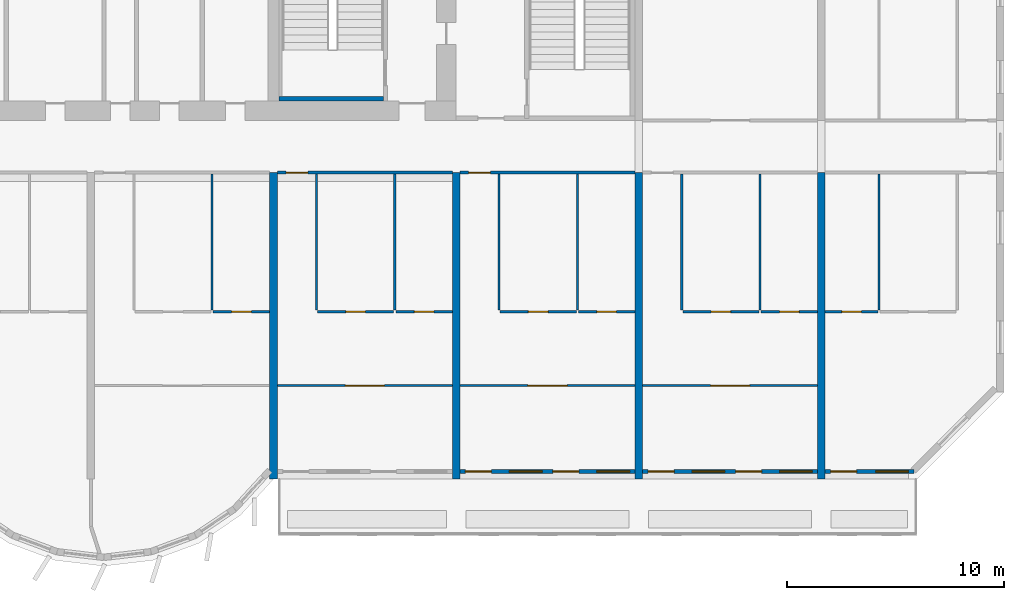
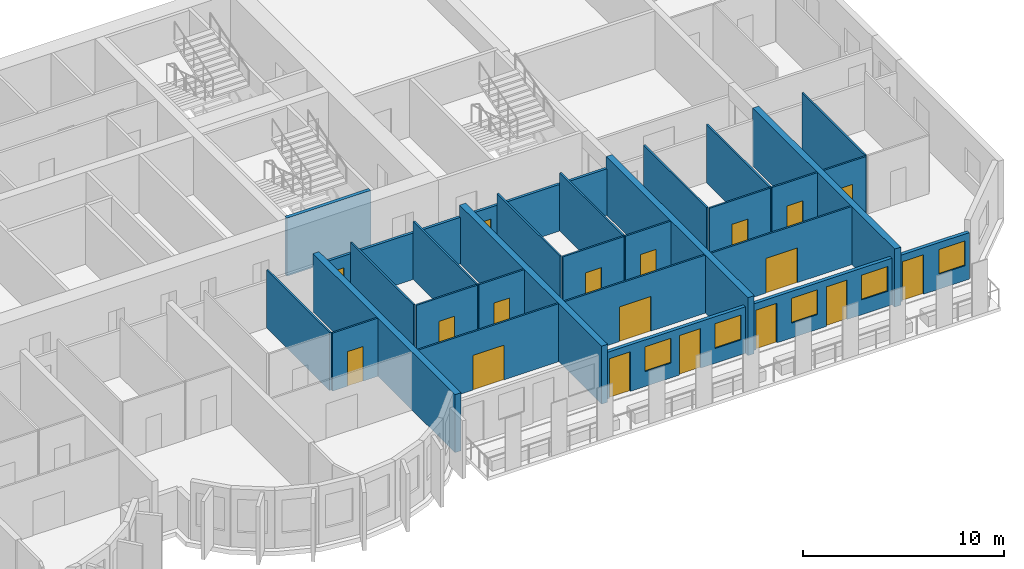
# One storey, part 9 of 15: 29 walls, 18 doors, 5 windows, 23 openings.
"""IFC4 building model written with IfcOpenShell, lengths in metres."""

from ifc_helpers import new_model, si_unit, direction, frame, frame_2d, origin, place, context, subcontext, project, spatial, rectangle, extrude, source, transform, mapped, material, layer, layer_set, type_object, element, fill, save


model = new_model("IFC4")

# Units and contexts
model_context = context("Model", 3, precision=1e-05, world=origin(), true_north=direction((0.0, 1.0)))
body_context = subcontext(model_context, "Body", "Model", "MODEL_VIEW")
ifc_project = project(units=[si_unit("LENGTHUNIT", "METRE"), si_unit("AREAUNIT", "SQUARE_METRE"), si_unit("VOLUMEUNIT", "CUBIC_METRE"), si_unit("PLANEANGLEUNIT", "RADIAN"), si_unit("MASSUNIT", "GRAM", prefix="KILO")], contexts=[model_context])

# Site, building, storey
site_placement = place(None, origin())
site = spatial("IfcSite", under=ifc_project, at=site_placement, CompositionType="ELEMENT")
building_placement = place(site_placement, origin())
building = spatial("IfcBuilding", under=site, at=building_placement, Name="Vanashikhar Sky Hotel", CompositionType="ELEMENT")
storey_placement = place(building_placement, frame((0.0, 0.0, 137.0)))
storey = spatial("IfcBuildingStorey", under=building, at=storey_placement, Name="L33", CompositionType="ELEMENT", Elevation=137.0)

# Walls
ifc_material_1 = material(Name="Concrete M70", Category="concrete")
ifc_layer_1 = layer(ifc_material_1, 0.35009765625)
ifc_layer_set_1 = layer_set([ifc_layer_1], Name="RC shear wall 350 Concrete M70")
wall_type_1 = type_object("IfcWallType", Name="RC shear wall 350 Concrete M70", PredefinedType="SHEAR", material=ifc_layer_set_1)
shared_shape_1 = source(origin(), body_context, "Body", "SweptSolid", [
    extrude(rectangle(XDim=14.10009765625, YDim=0.35009765625, at=frame_2d((7.050048828125, 0.0))), origin(), (0.0, 0.0, 1.0), 3.52001953125),
])
for number, where, z_axis, x_axis, name in (
    (1, (67.199951171875, 5.5, 0.0), (0.0, 0.0, 1.0), (0.0, 1.0, 0.0), "CW-L33-XW09-1"),
    (2, (75.60009765625, 5.5, 0.0), (0.0, 0.0, 1.0), (0.0, 1.0, 0.0), "CW-L33-XW10-1"),
    (3, (84.0, 5.5, 0.0), (0.0, 0.0, 1.0), (0.0, 1.0, 0.0), "CW-L33-XW11-1"),
    (4, (92.39990234375, 5.5, 0.0), (0.0, 0.0, 1.0), (0.0, 1.0, 0.0), "CW-L33-XW12-1"),
):
    element("IfcWall", number, at=place(storey_placement, frame(where, z_axis=z_axis, x_axis=x_axis)), inside=storey, type_object=wall_type_1, Name=name, PredefinedType="SHEAR", context=body_context, shape_type="MappedRepresentation", body=[
        mapped(shared_shape_1, transform((0.0, 0.0, 0.0), scale=1.0)),
    ])

# Wall, openings, window, door
ifc_material_2 = material(Name="Concrete M50", Category="concrete")
ifc_layer_2 = layer(ifc_material_2, 0.199951171875)
ifc_layer_set_2 = layer_set([ifc_layer_2], Name="Front window wall 200")
wall_type_2 = type_object("IfcWallType", Name="Front window wall 200", PredefinedType="SOLIDWALL", material=ifc_layer_set_2)
shared_shape_2 = source(origin(), body_context, "Body", "SweptSolid", [
    extrude(rectangle(XDim=4.080078125, YDim=0.199951171875, at=frame_2d((2.0400390625, 0.0))), origin(), (0.0, 0.0, 1.0), 2.820068359375),
])
wall_1_placement = place(storey_placement, frame((92.574951171875, 5.85009765625, 0.0), z_axis=(0.0, 0.0, 1.0), x_axis=(1.0, 0.0, 0.0)))
wall_1 = element("IfcWall", 5, at=wall_1_placement, inside=storey, type_object=wall_type_2, Name="Front window wall", PredefinedType="SOLIDWALL", context=body_context, shape_type="MappedRepresentation", body=[
    mapped(shared_shape_2, transform((0.0, 0.0, 0.0), scale=1.0)),
])
shared_shape_3 = source(origin(), body_context, "Body", "SweptSolid", [
    extrude(rectangle(XDim=1.199951171875, YDim=2.39990234375, at=frame_2d((0.60009765625, 1.199951171875))), frame((0.0, 0.10986328125, 0.0), z_axis=(0.0, -1.0, 0.0), x_axis=(1.0, 0.0, 0.0)), (0.0, 0.0, 1.0), 0.219970703125),
])
opening_1_placement = place(wall_1_placement, frame((0.25, 0.0, 0.0)))
opening_1 = element("IfcOpeningElement", 6, at=opening_1_placement, cuts=wall_1, Name="Opening BD-14", PredefinedType="OPENING", context=body_context, shape_type="MappedRepresentation", body=[
    mapped(shared_shape_3, transform((0.0, 0.0, 0.0), scale=1.0)),
])
shared_shape_4 = source(origin(), body_context, "Body", "SweptSolid", [
    extrude(rectangle(XDim=1.5, YDim=1.5, at=frame_2d((0.75, 0.75))), frame((0.0, 0.10986328125, 0.0), z_axis=(0.0, -1.0, 0.0), x_axis=(1.0, 0.0, 0.0)), (0.0, 0.0, 1.0), 0.219970703125),
])
opening_2_placement = place(wall_1_placement, frame((2.330078125, 0.0, 0.89990234375)))
opening_2 = element("IfcOpeningElement", 7, at=opening_2_placement, cuts=wall_1, Name="Opening WN-1", PredefinedType="OPENING", context=body_context, shape_type="MappedRepresentation", body=[
    mapped(shared_shape_4, transform((0.0, 0.0, 0.0), scale=1.0)),
])
ifc_material_3 = material(Name="Glass", Category="glass")
window_type = type_object("IfcWindowType", Name="Window 1500 x 1500", PartitioningType="SINGLE_PANEL", PredefinedType="WINDOW", material=ifc_material_3)
shared_shape_5 = source(origin(), body_context, "Body", "SweptSolid", [
    extrude(rectangle(XDim=1.5, YDim=1.5, at=frame_2d((0.75, 0.75))), frame((0.0, 0.030029296875, 0.0), z_axis=(0.0, -1.0, 0.0), x_axis=(1.0, 0.0, 0.0)), (0.0, 0.0, 1.0), 0.06005859375),
])
window_1_placement = place(opening_2_placement, origin())
window_1 = element("IfcWindow", 8, at=window_1_placement, inside=storey, type_object=window_type, Name="Window WN-1", OverallHeight=1.5, OverallWidth=1.5, PartitioningType="SINGLE_PANEL", PredefinedType="WINDOW", context=body_context, shape_type="MappedRepresentation", body=[
    mapped(shared_shape_5, transform((0.0, 0.0, 0.0), scale=1.0)),
])
fill(opening_2, window_1)
ifc_material_4 = material(Name="Aluminium", Category="aluminium")
door_type_1 = type_object("IfcDoorType", Name="Balcony sliding door 1200 x 2400", OperationType="NOTDEFINED", PredefinedType="DOOR", material=ifc_material_4)
shared_shape_6 = source(origin(), body_context, "Body", "SweptSolid", [
    extrude(rectangle(XDim=1.199951171875, YDim=2.39990234375, at=frame_2d((0.60009765625, 1.199951171875))), frame((0.0, 0.02490234375, 0.0), z_axis=(0.0, -1.0, 0.0), x_axis=(1.0, 0.0, 0.0)), (0.0, 0.0, 1.0), 0.050048828125),
])
door_1_placement = place(opening_1_placement, origin())
door_1 = element("IfcDoor", 9, at=door_1_placement, inside=storey, type_object=door_type_1, Name="Balcony sliding door", OperationType="SLIDING_TO_RIGHT", OverallHeight=2.39990234375, OverallWidth=1.199951171875, PredefinedType="DOOR", context=body_context, shape_type="MappedRepresentation", body=[
    mapped(shared_shape_6, transform((0.0, 0.0, 0.0), scale=1.0)),
])
fill(opening_1, door_1)

# Wall, openings, windows, doors
shared_shape_7 = source(origin(), body_context, "Body", "SweptSolid", [
    extrude(rectangle(XDim=8.050048828125, YDim=0.199951171875, at=frame_2d((4.02490234375, 0.0))), origin(), (0.0, 0.0, 1.0), 2.820068359375),
])
wall_2_placement = place(storey_placement, frame((75.77490234375, 5.85009765625, 0.0), z_axis=(0.0, 0.0, 1.0), x_axis=(1.0, 0.0, 0.0)))
wall_2 = element("IfcWall", 10, at=wall_2_placement, inside=storey, type_object=wall_type_2, Name="Front window wall", PredefinedType="SOLIDWALL", context=body_context, shape_type="MappedRepresentation", body=[
    mapped(shared_shape_7, transform((0.0, 0.0, 0.0), scale=1.0)),
])
opening_3_placement = place(wall_2_placement, frame((0.25, 0.0, 0.0)))
opening_3 = element("IfcOpeningElement", 11, at=opening_3_placement, cuts=wall_2, Name="Opening BD-10", PredefinedType="OPENING", context=body_context, shape_type="MappedRepresentation", body=[
    mapped(shared_shape_3, transform((0.0, 0.0, 0.0), scale=1.0)),
])
opening_4_placement = place(wall_2_placement, frame((2.27490234375, 0.0, 0.89990234375)))
opening_4 = element("IfcOpeningElement", 12, at=opening_4_placement, cuts=wall_2, Name="Opening WN-1", PredefinedType="OPENING", context=body_context, shape_type="MappedRepresentation", body=[
    mapped(shared_shape_4, transform((0.0, 0.0, 0.0), scale=1.0)),
])
opening_5_placement = place(wall_2_placement, frame((4.27490234375, 0.0, 0.0)))
opening_5 = element("IfcOpeningElement", 13, at=opening_5_placement, cuts=wall_2, Name="Opening BD-11", PredefinedType="OPENING", context=body_context, shape_type="MappedRepresentation", body=[
    mapped(shared_shape_3, transform((0.0, 0.0, 0.0), scale=1.0)),
])
opening_6_placement = place(wall_2_placement, frame((6.300048828125, 0.0, 0.89990234375)))
opening_6 = element("IfcOpeningElement", 14, at=opening_6_placement, cuts=wall_2, Name="Opening WN-1", PredefinedType="OPENING", context=body_context, shape_type="MappedRepresentation", body=[
    mapped(shared_shape_4, transform((0.0, 0.0, 0.0), scale=1.0)),
])
window_2_placement = place(opening_4_placement, origin())
window_2 = element("IfcWindow", 15, at=window_2_placement, inside=storey, type_object=window_type, Name="Window WN-1", OverallHeight=1.5, OverallWidth=1.5, PartitioningType="SINGLE_PANEL", PredefinedType="WINDOW", context=body_context, shape_type="MappedRepresentation", body=[
    mapped(shared_shape_5, transform((0.0, 0.0, 0.0), scale=1.0)),
])
fill(opening_4, window_2)
window_3_placement = place(opening_6_placement, origin())
window_3 = element("IfcWindow", 16, at=window_3_placement, inside=storey, type_object=window_type, Name="Window WN-1", OverallHeight=1.5, OverallWidth=1.5, PartitioningType="SINGLE_PANEL", PredefinedType="WINDOW", context=body_context, shape_type="MappedRepresentation", body=[
    mapped(shared_shape_5, transform((0.0, 0.0, 0.0), scale=1.0)),
])
fill(opening_6, window_3)
door_2_placement = place(opening_3_placement, origin())
door_2 = element("IfcDoor", 17, at=door_2_placement, inside=storey, type_object=door_type_1, Name="Balcony sliding door", OperationType="SLIDING_TO_RIGHT", OverallHeight=2.39990234375, OverallWidth=1.199951171875, PredefinedType="DOOR", context=body_context, shape_type="MappedRepresentation", body=[
    mapped(shared_shape_6, transform((0.0, 0.0, 0.0), scale=1.0)),
])
fill(opening_3, door_2)
door_3_placement = place(opening_5_placement, origin())
door_3 = element("IfcDoor", 18, at=door_3_placement, inside=storey, type_object=door_type_1, Name="Balcony sliding door", OperationType="SLIDING_TO_LEFT", OverallHeight=2.39990234375, OverallWidth=1.199951171875, PredefinedType="DOOR", context=body_context, shape_type="MappedRepresentation", body=[
    mapped(shared_shape_6, transform((0.0, 0.0, 0.0), scale=1.0)),
])
fill(opening_5, door_3)

wall_3_placement = place(storey_placement, frame((84.175048828125, 5.85009765625, 0.0), z_axis=(0.0, 0.0, 1.0), x_axis=(1.0, 0.0, 0.0)))
wall_3 = element("IfcWall", 19, at=wall_3_placement, inside=storey, type_object=wall_type_2, Name="Front window wall", PredefinedType="SOLIDWALL", context=body_context, shape_type="MappedRepresentation", body=[
    mapped(shared_shape_7, transform((0.0, 0.0, 0.0), scale=1.0)),
])
opening_7_placement = place(wall_3_placement, frame((0.25, 0.0, 0.0)))
opening_7 = element("IfcOpeningElement", 20, at=opening_7_placement, cuts=wall_3, Name="Opening BD-12", PredefinedType="OPENING", context=body_context, shape_type="MappedRepresentation", body=[
    mapped(shared_shape_3, transform((0.0, 0.0, 0.0), scale=1.0)),
])
opening_8_placement = place(wall_3_placement, frame((2.27490234375, 0.0, 0.89990234375)))
opening_8 = element("IfcOpeningElement", 21, at=opening_8_placement, cuts=wall_3, Name="Opening WN-1", PredefinedType="OPENING", context=body_context, shape_type="MappedRepresentation", body=[
    mapped(shared_shape_4, transform((0.0, 0.0, 0.0), scale=1.0)),
])
opening_9_placement = place(wall_3_placement, frame((4.27490234375, 0.0, 0.0)))
opening_9 = element("IfcOpeningElement", 22, at=opening_9_placement, cuts=wall_3, Name="Opening BD-13", PredefinedType="OPENING", context=body_context, shape_type="MappedRepresentation", body=[
    mapped(shared_shape_3, transform((0.0, 0.0, 0.0), scale=1.0)),
])
opening_10_placement = place(wall_3_placement, frame((6.300048828125, 0.0, 0.89990234375)))
opening_10 = element("IfcOpeningElement", 23, at=opening_10_placement, cuts=wall_3, Name="Opening WN-1", PredefinedType="OPENING", context=body_context, shape_type="MappedRepresentation", body=[
    mapped(shared_shape_4, transform((0.0, 0.0, 0.0), scale=1.0)),
])
window_4_placement = place(opening_8_placement, origin())
window_4 = element("IfcWindow", 24, at=window_4_placement, inside=storey, type_object=window_type, Name="Window WN-1", OverallHeight=1.5, OverallWidth=1.5, PartitioningType="SINGLE_PANEL", PredefinedType="WINDOW", context=body_context, shape_type="MappedRepresentation", body=[
    mapped(shared_shape_5, transform((0.0, 0.0, 0.0), scale=1.0)),
])
fill(opening_8, window_4)
window_5_placement = place(opening_10_placement, origin())
window_5 = element("IfcWindow", 25, at=window_5_placement, inside=storey, type_object=window_type, Name="Window WN-1", OverallHeight=1.5, OverallWidth=1.5, PartitioningType="SINGLE_PANEL", PredefinedType="WINDOW", context=body_context, shape_type="MappedRepresentation", body=[
    mapped(shared_shape_5, transform((0.0, 0.0, 0.0), scale=1.0)),
])
fill(opening_10, window_5)
door_4_placement = place(opening_7_placement, origin())
door_4 = element("IfcDoor", 26, at=door_4_placement, inside=storey, type_object=door_type_1, Name="Balcony sliding door", OperationType="SLIDING_TO_RIGHT", OverallHeight=2.39990234375, OverallWidth=1.199951171875, PredefinedType="DOOR", context=body_context, shape_type="MappedRepresentation", body=[
    mapped(shared_shape_6, transform((0.0, 0.0, 0.0), scale=1.0)),
])
fill(opening_7, door_4)
door_5_placement = place(opening_9_placement, origin())
door_5 = element("IfcDoor", 27, at=door_5_placement, inside=storey, type_object=door_type_1, Name="Balcony sliding door", OperationType="SLIDING_TO_LEFT", OverallHeight=2.39990234375, OverallWidth=1.199951171875, PredefinedType="DOOR", context=body_context, shape_type="MappedRepresentation", body=[
    mapped(shared_shape_6, transform((0.0, 0.0, 0.0), scale=1.0)),
])
fill(opening_9, door_5)

# Wall
ifc_layer_3 = layer(ifc_material_2, 0.199951171875)
ifc_layer_set_3 = layer_set([ifc_layer_3], Name="Stair infill wall 200")
wall_type_3 = type_object("IfcWallType", Name="Stair infill wall 200", PredefinedType="SOLIDWALL", material=ifc_layer_set_3)
shared_shape_8 = source(origin(), body_context, "Body", "SweptSolid", [
    extrude(rectangle(XDim=4.800048828125, YDim=0.199951171875, at=frame_2d((2.39990234375, 0.0))), origin(), (0.0, 0.0, 1.0), 3.52001953125),
])
wall_4_placement = place(storey_placement, frame((67.449951171875, 23.0, 0.0), z_axis=(0.0, 0.0, 1.0), x_axis=(1.0, 0.0, 0.0)))
element("IfcWall", 28, at=wall_4_placement, inside=storey, type_object=wall_type_3, Name="Stair infill wall 200", PredefinedType="SOLIDWALL", context=body_context, shape_type="MappedRepresentation", body=[
    mapped(shared_shape_8, transform((0.0, 0.0, 0.0), scale=1.0)),
])

# Wall, opening, door
ifc_material_5 = material(Name="Gypsum plasterboard partition")
ifc_layer_4 = layer(ifc_material_5, 0.10009765625)
ifc_layer_set_4 = layer_set([ifc_layer_4], Name="Wet room partition 100")
wall_type_4 = type_object("IfcWallType", Name="Wet room partition 100", PredefinedType="PARTITIONING", material=ifc_layer_set_4)
shared_shape_9 = source(origin(), body_context, "Body", "SweptSolid", [
    extrude(rectangle(XDim=3.5, YDim=0.10009765625, at=frame_2d((1.75, 0.0))), origin(), (0.0, 0.0, 1.0), 3.52001953125),
])
wall_5_placement = place(storey_placement, frame((69.22509765625, 13.199951171875, 0.0), z_axis=(0.0, 0.0, 1.0), x_axis=(1.0, 0.0, 0.0)))
wall_5 = element("IfcWall", 29, at=wall_5_placement, inside=storey, type_object=wall_type_4, Name="W-L33-PW049", PredefinedType="PARTITIONING", context=body_context, shape_type="MappedRepresentation", body=[
    mapped(shared_shape_9, transform((0.0, 0.0, 0.0), scale=1.0)),
])
shared_shape_10 = source(origin(), body_context, "Body", "SweptSolid", [
    extrude(rectangle(XDim=0.89990234375, YDim=2.10009765625, at=frame_2d((0.449951171875, 1.050048828125))), frame((0.0, 0.06005859375, 0.0), z_axis=(0.0, -1.0, 0.0), x_axis=(1.0, 0.0, 0.0)), (0.0, 0.0, 1.0), 0.1201171875),
])
opening_11_placement = place(wall_5_placement, frame((1.300048828125, 0.0, 0.0)))
opening_11 = element("IfcOpeningElement", 30, at=opening_11_placement, cuts=wall_5, Name="Opening D-02", PredefinedType="OPENING", context=body_context, shape_type="MappedRepresentation", body=[
    mapped(shared_shape_10, transform((0.0, 0.0, 0.0), scale=1.0)),
])
ifc_material_6 = material(Name="Timber door", Category="wood")
door_type_2 = type_object("IfcDoorType", Name="Internal door 900", OperationType="NOTDEFINED", PredefinedType="DOOR", material=ifc_material_6)
shared_shape_11 = source(origin(), body_context, "Body", "SweptSolid", [
    extrude(rectangle(XDim=0.89990234375, YDim=2.10009765625, at=frame_2d((0.449951171875, 1.050048828125))), frame((0.0, 0.02490234375, 0.0), z_axis=(0.0, -1.0, 0.0), x_axis=(1.0, 0.0, 0.0)), (0.0, 0.0, 1.0), 0.050048828125),
])
door_6_placement = place(opening_11_placement, origin())
door_6 = element("IfcDoor", 31, at=door_6_placement, inside=storey, type_object=door_type_2, Name="D-L33-030", OperationType="SINGLE_SWING_LEFT", OverallHeight=2.10009765625, OverallWidth=0.89990234375, PredefinedType="DOOR", context=body_context, shape_type="MappedRepresentation", body=[
    mapped(shared_shape_11, transform((0.0, 0.0, 0.0), scale=1.0)),
])
fill(opening_11, door_6)

wall_6_placement = place(storey_placement, frame((77.625, 13.199951171875, 0.0), z_axis=(0.0, 0.0, 1.0), x_axis=(1.0, 0.0, 0.0)))
wall_6 = element("IfcWall", 32, at=wall_6_placement, inside=storey, type_object=wall_type_4, Name="W-L33-PW055", PredefinedType="PARTITIONING", context=body_context, shape_type="MappedRepresentation", body=[
    mapped(shared_shape_9, transform((0.0, 0.0, 0.0), scale=1.0)),
])
opening_12_placement = place(wall_6_placement, frame((1.300048828125, 0.0, 0.0)))
opening_12 = element("IfcOpeningElement", 33, at=opening_12_placement, cuts=wall_6, Name="Opening D-02", PredefinedType="OPENING", context=body_context, shape_type="MappedRepresentation", body=[
    mapped(shared_shape_10, transform((0.0, 0.0, 0.0), scale=1.0)),
])
door_7_placement = place(opening_12_placement, origin())
door_7 = element("IfcDoor", 34, at=door_7_placement, inside=storey, type_object=door_type_2, Name="D-L33-034", OperationType="SINGLE_SWING_LEFT", OverallHeight=2.10009765625, OverallWidth=0.89990234375, PredefinedType="DOOR", context=body_context, shape_type="MappedRepresentation", body=[
    mapped(shared_shape_11, transform((0.0, 0.0, 0.0), scale=1.0)),
])
fill(opening_12, door_7)

wall_7_placement = place(storey_placement, frame((86.02490234375, 13.199951171875, 0.0), z_axis=(0.0, 0.0, 1.0), x_axis=(1.0, 0.0, 0.0)))
wall_7 = element("IfcWall", 35, at=wall_7_placement, inside=storey, type_object=wall_type_4, Name="W-L33-PW061", PredefinedType="PARTITIONING", context=body_context, shape_type="MappedRepresentation", body=[
    mapped(shared_shape_9, transform((0.0, 0.0, 0.0), scale=1.0)),
])
opening_13_placement = place(wall_7_placement, frame((1.300048828125, 0.0, 0.0)))
opening_13 = element("IfcOpeningElement", 36, at=opening_13_placement, cuts=wall_7, Name="Opening D-02", PredefinedType="OPENING", context=body_context, shape_type="MappedRepresentation", body=[
    mapped(shared_shape_10, transform((0.0, 0.0, 0.0), scale=1.0)),
])
door_8_placement = place(opening_13_placement, origin())
door_8 = element("IfcDoor", 37, at=door_8_placement, inside=storey, type_object=door_type_2, Name="D-L33-038", OperationType="SINGLE_SWING_LEFT", OverallHeight=2.10009765625, OverallWidth=0.89990234375, PredefinedType="DOOR", context=body_context, shape_type="MappedRepresentation", body=[
    mapped(shared_shape_11, transform((0.0, 0.0, 0.0), scale=1.0)),
])
fill(opening_13, door_8)

# Walls
shared_shape_12 = source(origin(), body_context, "Body", "SweptSolid", [
    extrude(rectangle(XDim=6.25, YDim=0.10009765625, at=frame_2d((3.125, 0.0))), origin(), (0.0, 0.0, 1.0), 3.52001953125),
])
for number, where, z_axis, x_axis, name in (
    (38, (64.375, 13.27490234375, 0.0), (0.0, 0.0, 1.0), (0.0, 1.0, 0.0), "W-L33-PW042"),
    (39, (69.175048828125, 13.27490234375, 0.0), (0.0, 0.0, 1.0), (0.0, 1.0, 0.0), "W-L33-PW047"),
    (40, (72.77490234375, 13.27490234375, 0.0), (0.0, 0.0, 1.0), (0.0, 1.0, 0.0), "W-L33-PW048"),
    (41, (77.574951171875, 13.27490234375, 0.0), (0.0, 0.0, 1.0), (0.0, 1.0, 0.0), "W-L33-PW053"),
    (42, (81.175048828125, 13.27490234375, 0.0), (0.0, 0.0, 1.0), (0.0, 1.0, 0.0), "W-L33-PW054"),
    (43, (85.97509765625, 13.27490234375, 0.0), (0.0, 0.0, 1.0), (0.0, 1.0, 0.0), "W-L33-PW059"),
    (44, (89.574951171875, 13.27490234375, 0.0), (0.0, 0.0, 1.0), (0.0, 1.0, 0.0), "W-L33-PW060"),
    (45, (95.050048828125, 13.27490234375, 0.0), (0.0, 0.0, 1.0), (0.0, 1.0, 0.0), "W-L33-PW066"),
):
    element("IfcWall", number, at=place(storey_placement, frame(where, z_axis=z_axis, x_axis=x_axis)), inside=storey, type_object=wall_type_4, Name=name, PredefinedType="PARTITIONING", context=body_context, shape_type="MappedRepresentation", body=[
        mapped(shared_shape_12, transform((0.0, 0.0, 0.0), scale=1.0)),
    ])

# Wall, opening, door
shared_shape_13 = source(origin(), body_context, "Body", "SweptSolid", [
    extrude(rectangle(XDim=2.60009765625, YDim=0.10009765625, at=frame_2d((1.300048828125, 0.0))), origin(), (0.0, 0.0, 1.0), 3.52001953125),
])
wall_8_placement = place(storey_placement, frame((72.824951171875, 13.199951171875, 0.0), z_axis=(0.0, 0.0, 1.0), x_axis=(1.0, 0.0, 0.0)))
wall_8 = element("IfcWall", 46, at=wall_8_placement, inside=storey, type_object=wall_type_4, Name="W-L33-PW050", PredefinedType="PARTITIONING", context=body_context, shape_type="MappedRepresentation", body=[
    mapped(shared_shape_13, transform((0.0, 0.0, 0.0), scale=1.0)),
])
opening_14_placement = place(wall_8_placement, frame((0.85009765625, 0.0, 0.0)))
opening_14 = element("IfcOpeningElement", 47, at=opening_14_placement, cuts=wall_8, Name="Opening D-02", PredefinedType="OPENING", context=body_context, shape_type="MappedRepresentation", body=[
    mapped(shared_shape_10, transform((0.0, 0.0, 0.0), scale=1.0)),
])
door_9_placement = place(opening_14_placement, origin())
door_9 = element("IfcDoor", 48, at=door_9_placement, inside=storey, type_object=door_type_2, Name="D-L33-031", OperationType="SINGLE_SWING_LEFT", OverallHeight=2.10009765625, OverallWidth=0.89990234375, PredefinedType="DOOR", context=body_context, shape_type="MappedRepresentation", body=[
    mapped(shared_shape_11, transform((0.0, 0.0, 0.0), scale=1.0)),
])
fill(opening_14, door_9)

wall_9_placement = place(storey_placement, frame((89.625, 13.199951171875, 0.0), z_axis=(0.0, 0.0, 1.0), x_axis=(1.0, 0.0, 0.0)))
wall_9 = element("IfcWall", 49, at=wall_9_placement, inside=storey, type_object=wall_type_4, Name="W-L33-PW062", PredefinedType="PARTITIONING", context=body_context, shape_type="MappedRepresentation", body=[
    mapped(shared_shape_13, transform((0.0, 0.0, 0.0), scale=1.0)),
])
opening_15_placement = place(wall_9_placement, frame((0.85009765625, 0.0, 0.0)))
opening_15 = element("IfcOpeningElement", 50, at=opening_15_placement, cuts=wall_9, Name="Opening D-02", PredefinedType="OPENING", context=body_context, shape_type="MappedRepresentation", body=[
    mapped(shared_shape_10, transform((0.0, 0.0, 0.0), scale=1.0)),
])
door_10_placement = place(opening_15_placement, origin())
door_10 = element("IfcDoor", 51, at=door_10_placement, inside=storey, type_object=door_type_2, Name="D-L33-039", OperationType="SINGLE_SWING_LEFT", OverallHeight=2.10009765625, OverallWidth=0.89990234375, PredefinedType="DOOR", context=body_context, shape_type="MappedRepresentation", body=[
    mapped(shared_shape_11, transform((0.0, 0.0, 0.0), scale=1.0)),
])
fill(opening_15, door_10)

ifc_layer_5 = layer(ifc_material_5, 0.14990234375)
ifc_layer_set_5 = layer_set([ifc_layer_5], Name="Corridor and demising partition 150")
wall_type_5 = type_object("IfcWallType", Name="Corridor and demising partition 150", PredefinedType="PARTITIONING", material=ifc_layer_set_5)
shared_shape_14 = source(origin(), body_context, "Body", "SweptSolid", [
    extrude(rectangle(XDim=8.050048828125, YDim=0.14990234375, at=frame_2d((4.02490234375, 0.0))), origin(), (0.0, 0.0, 1.0), 2.820068359375),
])
wall_10_placement = place(storey_placement, frame((67.375, 19.60009765625, 0.0), z_axis=(0.0, 0.0, 1.0), x_axis=(1.0, 0.0, 0.0)))
wall_10 = element("IfcWall", 52, at=wall_10_placement, inside=storey, type_object=wall_type_5, Name="W-L33-PW052", PredefinedType="PARTITIONING", context=body_context, shape_type="MappedRepresentation", body=[
    mapped(shared_shape_14, transform((0.0, 0.0, 0.0), scale=1.0)),
])
shared_shape_15 = source(origin(), body_context, "Body", "SweptSolid", [
    extrude(rectangle(XDim=1.0, YDim=2.10009765625, at=frame_2d((0.5, 1.050048828125))), frame((0.0, 0.0849609375, 0.0), z_axis=(0.0, -1.0, 0.0), x_axis=(1.0, 0.0, 0.0)), (0.0, 0.0, 1.0), 0.169921875),
])
opening_16_placement = place(wall_10_placement, frame((0.39990234375, 0.0, 0.0)))
opening_16 = element("IfcOpeningElement", 53, at=opening_16_placement, cuts=wall_10, Name="Opening D-01", PredefinedType="OPENING", context=body_context, shape_type="MappedRepresentation", body=[
    mapped(shared_shape_15, transform((0.0, 0.0, 0.0), scale=1.0)),
])
ifc_material_7 = material(Name="Timber fire door", Category="wood")
door_type_3 = type_object("IfcDoorType", Name="Guest entry door 1000 FD30S", OperationType="NOTDEFINED", PredefinedType="DOOR", material=ifc_material_7)
shared_shape_16 = source(origin(), body_context, "Body", "SweptSolid", [
    extrude(rectangle(XDim=1.0, YDim=2.10009765625, at=frame_2d((0.5, 1.050048828125))), frame((0.0, 0.02490234375, 0.0), z_axis=(0.0, -1.0, 0.0), x_axis=(1.0, 0.0, 0.0)), (0.0, 0.0, 1.0), 0.050048828125),
])
door_11_placement = place(opening_16_placement, origin())
door_11 = element("IfcDoor", 54, at=door_11_placement, inside=storey, type_object=door_type_3, Name="D-L33-033", OperationType="SINGLE_SWING_LEFT", OverallHeight=2.10009765625, OverallWidth=1.0, PredefinedType="DOOR", context=body_context, shape_type="MappedRepresentation", body=[
    mapped(shared_shape_16, transform((0.0, 0.0, 0.0), scale=1.0)),
])
fill(opening_16, door_11)

wall_11_placement = place(storey_placement, frame((75.77490234375, 19.60009765625, 0.0), z_axis=(0.0, 0.0, 1.0), x_axis=(1.0, 0.0, 0.0)))
wall_11 = element("IfcWall", 55, at=wall_11_placement, inside=storey, type_object=wall_type_5, Name="W-L33-PW058", PredefinedType="PARTITIONING", context=body_context, shape_type="MappedRepresentation", body=[
    mapped(shared_shape_14, transform((0.0, 0.0, 0.0), scale=1.0)),
])
opening_17_placement = place(wall_11_placement, frame((0.39990234375, 0.0, 0.0)))
opening_17 = element("IfcOpeningElement", 56, at=opening_17_placement, cuts=wall_11, Name="Opening D-01", PredefinedType="OPENING", context=body_context, shape_type="MappedRepresentation", body=[
    mapped(shared_shape_15, transform((0.0, 0.0, 0.0), scale=1.0)),
])
door_12_placement = place(opening_17_placement, origin())
door_12 = element("IfcDoor", 57, at=door_12_placement, inside=storey, type_object=door_type_3, Name="D-L33-037", OperationType="SINGLE_SWING_LEFT", OverallHeight=2.10009765625, OverallWidth=1.0, PredefinedType="DOOR", context=body_context, shape_type="MappedRepresentation", body=[
    mapped(shared_shape_16, transform((0.0, 0.0, 0.0), scale=1.0)),
])
fill(opening_17, door_12)

shared_shape_17 = source(origin(), body_context, "Body", "SweptSolid", [
    extrude(rectangle(XDim=2.599853515625, YDim=0.10009765625, at=frame_2d((1.2998046875, 0.0))), origin(), (0.0, 0.0, 1.0), 3.52001953125),
])
wall_12_placement = place(storey_placement, frame((64.425048828125, 13.199951171875, 0.0), z_axis=(0.0, 0.0, 1.0), x_axis=(1.0, 0.0, 0.0)))
wall_12 = element("IfcWall", 58, at=wall_12_placement, inside=storey, type_object=wall_type_4, Name="W-L33-PW044", PredefinedType="PARTITIONING", context=body_context, shape_type="MappedRepresentation", body=[
    mapped(shared_shape_17, transform((0.0, 0.0, 0.0), scale=1.0)),
])
opening_18_placement = place(wall_12_placement, frame((0.85009765625, 0.0, 0.0)))
opening_18 = element("IfcOpeningElement", 59, at=opening_18_placement, cuts=wall_12, Name="Opening D-02", PredefinedType="OPENING", context=body_context, shape_type="MappedRepresentation", body=[
    mapped(shared_shape_10, transform((0.0, 0.0, 0.0), scale=1.0)),
])
door_13_placement = place(opening_18_placement, origin())
door_13 = element("IfcDoor", 60, at=door_13_placement, inside=storey, type_object=door_type_2, Name="D-L33-027", OperationType="SINGLE_SWING_LEFT", OverallHeight=2.10009765625, OverallWidth=0.89990234375, PredefinedType="DOOR", context=body_context, shape_type="MappedRepresentation", body=[
    mapped(shared_shape_11, transform((0.0, 0.0, 0.0), scale=1.0)),
])
fill(opening_18, door_13)

wall_13_placement = place(storey_placement, frame((81.22509765625, 13.199951171875, 0.0), z_axis=(0.0, 0.0, 1.0), x_axis=(1.0, 0.0, 0.0)))
wall_13 = element("IfcWall", 61, at=wall_13_placement, inside=storey, type_object=wall_type_4, Name="W-L33-PW056", PredefinedType="PARTITIONING", context=body_context, shape_type="MappedRepresentation", body=[
    mapped(shared_shape_17, transform((0.0, 0.0, 0.0), scale=1.0)),
])
opening_19_placement = place(wall_13_placement, frame((0.85009765625, 0.0, 0.0)))
opening_19 = element("IfcOpeningElement", 62, at=opening_19_placement, cuts=wall_13, Name="Opening D-02", PredefinedType="OPENING", context=body_context, shape_type="MappedRepresentation", body=[
    mapped(shared_shape_10, transform((0.0, 0.0, 0.0), scale=1.0)),
])
door_14_placement = place(opening_19_placement, origin())
door_14 = element("IfcDoor", 63, at=door_14_placement, inside=storey, type_object=door_type_2, Name="D-L33-035", OperationType="SINGLE_SWING_LEFT", OverallHeight=2.10009765625, OverallWidth=0.89990234375, PredefinedType="DOOR", context=body_context, shape_type="MappedRepresentation", body=[
    mapped(shared_shape_11, transform((0.0, 0.0, 0.0), scale=1.0)),
])
fill(opening_19, door_14)

shared_shape_18 = source(origin(), body_context, "Body", "SweptSolid", [
    extrude(rectangle(XDim=8.050048828125, YDim=0.10009765625, at=frame_2d((4.02490234375, 0.0))), origin(), (0.0, 0.0, 1.0), 3.52001953125),
])
wall_14_placement = place(storey_placement, frame((67.375, 9.802001953125, 0.0), z_axis=(0.0, 0.0, 1.0), x_axis=(1.0, 0.0, 0.0)))
wall_14 = element("IfcWall", 64, at=wall_14_placement, inside=storey, type_object=wall_type_4, Name="W-L33-PW051", PredefinedType="PARTITIONING", context=body_context, shape_type="MappedRepresentation", body=[
    mapped(shared_shape_18, transform((0.0, 0.0, 0.0), scale=1.0)),
])
shared_shape_19 = source(origin(), body_context, "Body", "SweptSolid", [
    extrude(rectangle(XDim=1.800048828125, YDim=2.10009765625, at=frame_2d((0.89990234375, 1.050048828125))), frame((0.0, 0.06005859375, 0.0), z_axis=(0.0, -1.0, 0.0), x_axis=(1.0, 0.0, 0.0)), (0.0, 0.0, 1.0), 0.1201171875),
])
opening_20_placement = place(wall_14_placement, frame((3.125, 0.0, 0.0)))
opening_20 = element("IfcOpeningElement", 65, at=opening_20_placement, cuts=wall_14, Name="Opening D-08", PredefinedType="OPENING", context=body_context, shape_type="MappedRepresentation", body=[
    mapped(shared_shape_19, transform((0.0, 0.0, 0.0), scale=1.0)),
])
door_type_4 = type_object("IfcDoorType", Name="Double leaf door 1800", OperationType="NOTDEFINED", PredefinedType="DOOR", material=ifc_material_6)
shared_shape_20 = source(origin(), body_context, "Body", "SweptSolid", [
    extrude(rectangle(XDim=1.800048828125, YDim=2.10009765625, at=frame_2d((0.89990234375, 1.050048828125))), frame((0.0, 0.02490234375, 0.0), z_axis=(0.0, -1.0, 0.0), x_axis=(1.0, 0.0, 0.0)), (0.0, 0.0, 1.0), 0.050048828125),
])
door_15_placement = place(opening_20_placement, origin())
door_15 = element("IfcDoor", 66, at=door_15_placement, inside=storey, type_object=door_type_4, Name="D-L33-032", OperationType="DOUBLE_DOOR_SINGLE_SWING", OverallHeight=2.10009765625, OverallWidth=1.800048828125, PredefinedType="DOOR", context=body_context, shape_type="MappedRepresentation", body=[
    mapped(shared_shape_20, transform((0.0, 0.0, 0.0), scale=1.0)),
])
fill(opening_20, door_15)

wall_15_placement = place(storey_placement, frame((75.77490234375, 9.802001953125, 0.0), z_axis=(0.0, 0.0, 1.0), x_axis=(1.0, 0.0, 0.0)))
wall_15 = element("IfcWall", 67, at=wall_15_placement, inside=storey, type_object=wall_type_4, Name="W-L33-PW057", PredefinedType="PARTITIONING", context=body_context, shape_type="MappedRepresentation", body=[
    mapped(shared_shape_18, transform((0.0, 0.0, 0.0), scale=1.0)),
])
opening_21_placement = place(wall_15_placement, frame((3.125, 0.0, 0.0)))
opening_21 = element("IfcOpeningElement", 68, at=opening_21_placement, cuts=wall_15, Name="Opening D-08", PredefinedType="OPENING", context=body_context, shape_type="MappedRepresentation", body=[
    mapped(shared_shape_19, transform((0.0, 0.0, 0.0), scale=1.0)),
])
door_16_placement = place(opening_21_placement, origin())
door_16 = element("IfcDoor", 69, at=door_16_placement, inside=storey, type_object=door_type_4, Name="D-L33-036", OperationType="DOUBLE_DOOR_SINGLE_SWING", OverallHeight=2.10009765625, OverallWidth=1.800048828125, PredefinedType="DOOR", context=body_context, shape_type="MappedRepresentation", body=[
    mapped(shared_shape_20, transform((0.0, 0.0, 0.0), scale=1.0)),
])
fill(opening_21, door_16)

wall_16_placement = place(storey_placement, frame((84.175048828125, 9.802001953125, 0.0), z_axis=(0.0, 0.0, 1.0), x_axis=(1.0, 0.0, 0.0)))
wall_16 = element("IfcWall", 70, at=wall_16_placement, inside=storey, type_object=wall_type_4, Name="W-L33-PW063", PredefinedType="PARTITIONING", context=body_context, shape_type="MappedRepresentation", body=[
    mapped(shared_shape_18, transform((0.0, 0.0, 0.0), scale=1.0)),
])
opening_22_placement = place(wall_16_placement, frame((3.125, 0.0, 0.0)))
opening_22 = element("IfcOpeningElement", 71, at=opening_22_placement, cuts=wall_16, Name="Opening D-08", PredefinedType="OPENING", context=body_context, shape_type="MappedRepresentation", body=[
    mapped(shared_shape_19, transform((0.0, 0.0, 0.0), scale=1.0)),
])
door_17_placement = place(opening_22_placement, origin())
door_17 = element("IfcDoor", 72, at=door_17_placement, inside=storey, type_object=door_type_4, Name="D-L33-040", OperationType="DOUBLE_DOOR_SINGLE_SWING", OverallHeight=2.10009765625, OverallWidth=1.800048828125, PredefinedType="DOOR", context=body_context, shape_type="MappedRepresentation", body=[
    mapped(shared_shape_20, transform((0.0, 0.0, 0.0), scale=1.0)),
])
fill(opening_22, door_17)

shared_shape_21 = source(origin(), body_context, "Body", "SweptSolid", [
    extrude(rectangle(XDim=2.425048828125, YDim=0.10009765625, at=frame_2d((1.21240234375, 0.0))), origin(), (0.0, 0.0, 1.0), 3.52001953125),
])
wall_17_placement = place(storey_placement, frame((92.574951171875, 13.199951171875, 0.0), z_axis=(0.0, 0.0, 1.0), x_axis=(1.0, 0.0, 0.0)))
wall_17 = element("IfcWall", 73, at=wall_17_placement, inside=storey, type_object=wall_type_4, Name="W-L33-PW068", PredefinedType="PARTITIONING", context=body_context, shape_type="MappedRepresentation", body=[
    mapped(shared_shape_21, transform((0.0, 0.0, 0.0), scale=1.0)),
])
opening_23_placement = place(wall_17_placement, frame((0.762939453125, 0.0, 0.0)))
opening_23 = element("IfcOpeningElement", 74, at=opening_23_placement, cuts=wall_17, Name="Opening D-02", PredefinedType="OPENING", context=body_context, shape_type="MappedRepresentation", body=[
    mapped(shared_shape_10, transform((0.0, 0.0, 0.0), scale=1.0)),
])
door_18_placement = place(opening_23_placement, origin())
door_18 = element("IfcDoor", 75, at=door_18_placement, inside=storey, type_object=door_type_2, Name="D-L33-043", OperationType="SINGLE_SWING_RIGHT", OverallHeight=2.10009765625, OverallWidth=0.89990234375, PredefinedType="DOOR", context=body_context, shape_type="MappedRepresentation", body=[
    mapped(shared_shape_11, transform((0.0, 0.0, 0.0), scale=1.0)),
])
fill(opening_23, door_18)

save(model, "model.ifc")
